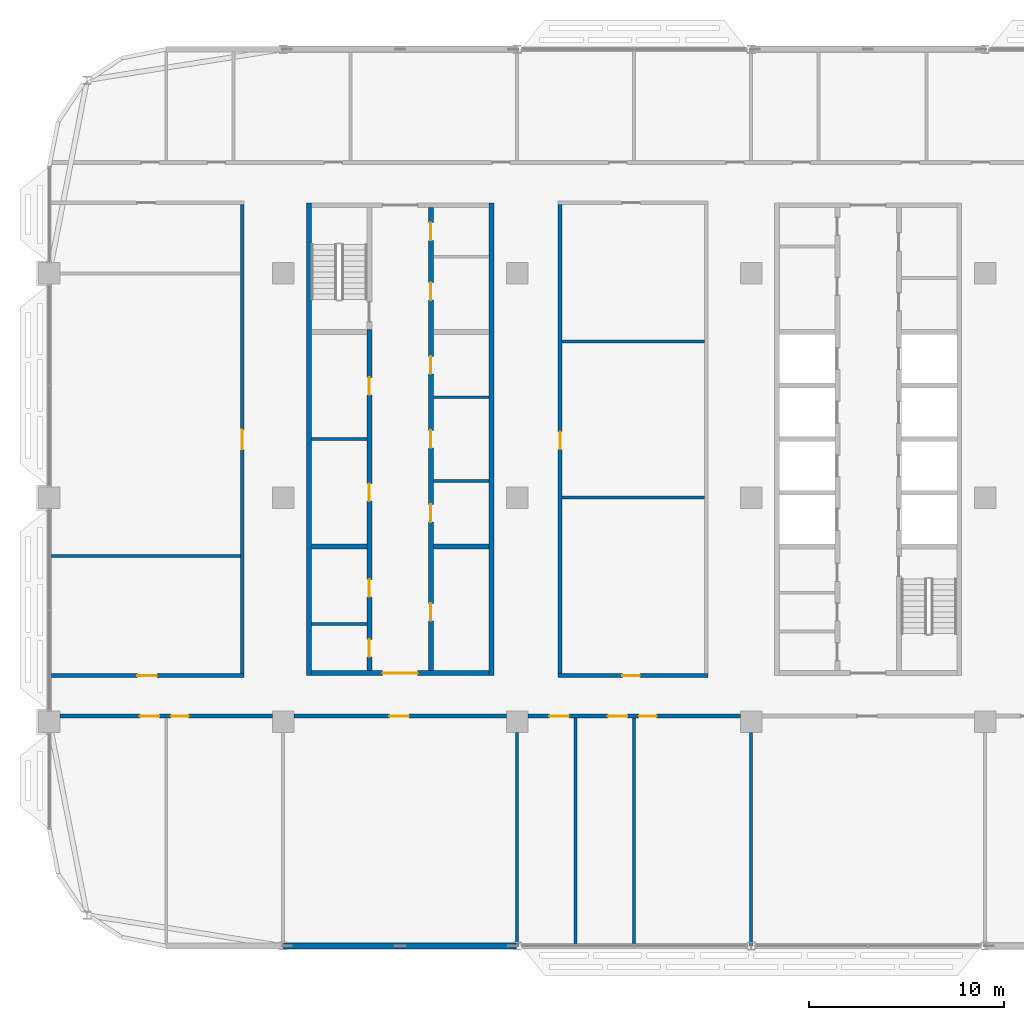
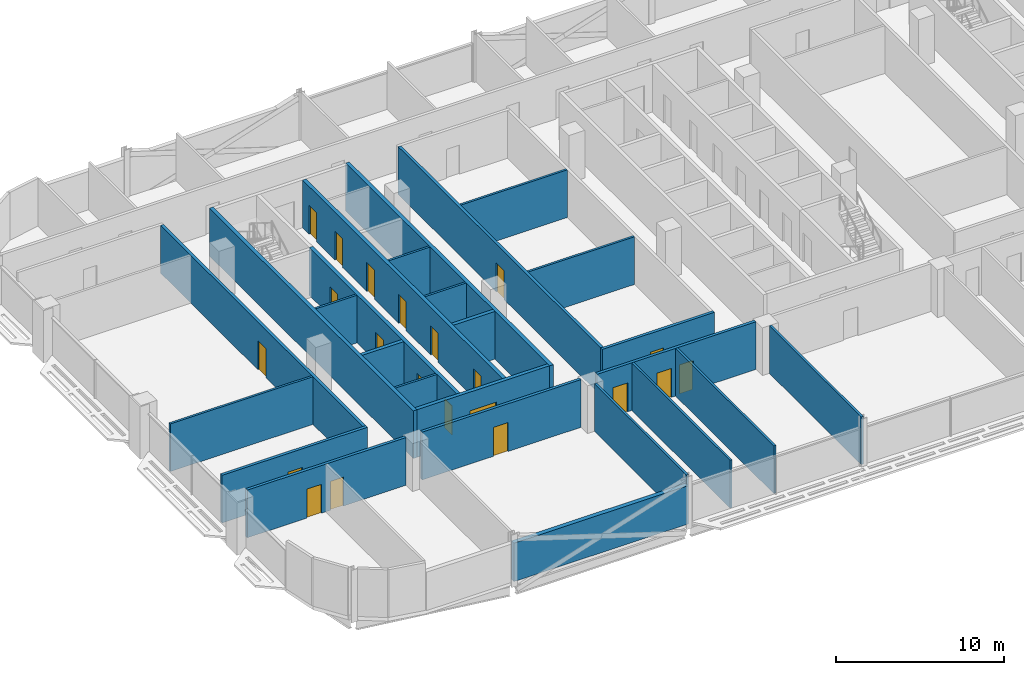
# One storey, part 13 of 30: 26 walls, 21 doors, 21 openings.
"""IFC4 building model written with IfcOpenShell, lengths in metres."""

from ifc_helpers import new_model, si_unit, direction, frame, frame_2d, origin, place, context, subcontext, project, spatial, rectangle, extrude, material, layer, layer_set, type_object, element, fill, save


model = new_model("IFC4")

# Units and contexts
model_context = context("Model", 3, precision=1e-05, world=origin(), true_north=direction((0.0, 1.0)))
body_context = subcontext(model_context, "Body", "Model", "MODEL_VIEW")
ifc_project = project(units=[si_unit("LENGTHUNIT", "METRE"), si_unit("AREAUNIT", "SQUARE_METRE"), si_unit("VOLUMEUNIT", "CUBIC_METRE"), si_unit("PLANEANGLEUNIT", "RADIAN"), si_unit("MASSUNIT", "GRAM", prefix="KILO")], contexts=[model_context])

# Site, building, storey
site_placement = place(None, origin())
site = spatial("IfcSite", under=ifc_project, at=site_placement, CompositionType="ELEMENT")
building_placement = place(site_placement, origin())
building = spatial("IfcBuilding", under=site, at=building_placement, Name="Mahtab Terrace Research Tower", CompositionType="ELEMENT")
storey_placement = place(building_placement, frame((0.0, 0.0, 212.89990234375)))
storey = spatial("IfcBuildingStorey", under=building, at=storey_placement, Name="L51", CompositionType="ELEMENT", Elevation=212.89990234375)

# Walls
ifc_material_1 = material(Name="Gypsum board partition")
ifc_layer_1 = layer(ifc_material_1, 0.14990234375)
ifc_layer_set_1 = layer_set([ifc_layer_1], Name="Core partition 150")
wall_type_1 = type_object("IfcWallType", Name="Core partition 150", PredefinedType="PARTITIONING", material=ifc_layer_set_1)
for number, where, z_axis, x_axis, name in (
    (1, (-28.550048828125, 3.0, 0.0), (0.0, 0.0, 1.0), (1.0, 0.0, 0.0), "Core wall A pWL0"),
    (2, (-22.300048828125, 0.85009765625, 0.0), (0.0, 0.0, 1.0), (1.0, 0.0, 0.0), "Core wall A pEL-215"),
    (3, (-22.300048828125, 5.14990234375, 0.0), (0.0, 0.0, 1.0), (1.0, 0.0, 0.0), "Core wall A pEL215"),
    (4, (-28.550048828125, -6.47509765625, 0.0), (0.0, 0.0, 1.0), (1.0, 0.0, 0.0), "Core wall A pWS-948"),
):
    element("IfcWall", number, at=place(storey_placement, frame(where, z_axis=z_axis, x_axis=x_axis)), inside=storey, type_object=wall_type_1, Name=name, PredefinedType="PARTITIONING", context=body_context, shape_type="SweptSolid", body=[
        extrude(rectangle(XDim=2.85009765625, YDim=0.14990234375, at=frame_2d((1.425048828125, 0.0))), origin(), (0.0, 0.0, 1.0), 3.460205078125),
    ])
ifc_material_2 = material(Name="Concrete C70/85", Category="concrete")
ifc_layer_2 = layer(ifc_material_2, 0.25)
ifc_layer_set_2 = layer_set([ifc_layer_2], Name="Core wall 250")
wall_type_2 = type_object("IfcWallType", Name="Core wall 250", PredefinedType="SOLIDWALL", material=ifc_layer_set_2)
for number, where, z_axis, x_axis, name in (
    (5, (-28.675048828125, 15.125, 0.0), (0.0, 0.0, 1.0), (0.0, -1.0, 0.0), "Core wall A outerW"),
    (6, (-19.324951171875, -9.125, 0.0), (0.0, 0.0, 1.0), (0.0, 1.0, 0.0), "Core wall A outerE"),
):
    element("IfcWall", number, at=place(storey_placement, frame(where, z_axis=z_axis, x_axis=x_axis)), inside=storey, type_object=wall_type_2, Name=name, PredefinedType="SOLIDWALL", context=body_context, shape_type="SweptSolid", body=[
        extrude(rectangle(XDim=24.25, YDim=0.25, at=frame_2d((12.125, 0.0))), origin(), (0.0, 0.0, 1.0), 3.460205078125),
    ])

# Wall, opening, door
wall_1_placement = place(storey_placement, frame((-19.449951171875, -9.0, 0.0), z_axis=(0.0, 0.0, 1.0), x_axis=(-1.0, 0.0, 0.0)))
wall_1 = element("IfcWall", 7, at=wall_1_placement, inside=storey, type_object=wall_type_2, Name="Core wall A endS", PredefinedType="SOLIDWALL", context=body_context, shape_type="SweptSolid", body=[
    extrude(rectangle(XDim=9.10009765625, YDim=0.25, at=frame_2d((4.550048828125, 0.0))), origin(), (0.0, 0.0, 1.0), 3.460205078125),
])
opening_1_placement = place(wall_1_placement, frame((3.64990234375, 0.0, 0.0)))
opening_1 = element("IfcOpeningElement", 8, at=opening_1_placement, cuts=wall_1, Name="Opening A-S1", PredefinedType="OPENING", context=body_context, shape_type="SweptSolid", body=[
    extrude(rectangle(XDim=1.800048828125, YDim=2.10009765625, at=frame_2d((0.89990234375, 1.050048828125))), frame((0.0, 0.135009765625, 0.0), z_axis=(0.0, -1.0, 0.0), x_axis=(1.0, 0.0, 0.0)), (0.0, 0.0, 1.0), 0.27001953125),
])
ifc_material_3 = material(Name="Steel fire door", Category="steel")
door_type_1 = type_object("IfcDoorType", Name="Lobby double door 1800x2100 1 HR", OperationType="DOUBLE_DOOR_SINGLE_SWING", PredefinedType="DOOR", material=ifc_material_3)
door_1_placement = place(opening_1_placement, origin())
door_1 = element("IfcDoor", 9, at=door_1_placement, inside=storey, type_object=door_type_1, Name="Core entrance door A S", OperationType="DOUBLE_DOOR_SINGLE_SWING", OverallHeight=2.10009765625, OverallWidth=1.800048828125, PredefinedType="DOOR", context=body_context, shape_type="SweptSolid", body=[
    extrude(rectangle(XDim=1.800048828125, YDim=2.10009765625, at=frame_2d((0.89990234375, 1.050048828125))), frame((0.0, 0.02490234375, 0.0), z_axis=(0.0, -1.0, 0.0), x_axis=(1.0, 0.0, 0.0)), (0.0, 0.0, 1.0), 0.050048828125),
])
fill(opening_1, door_1)

# Wall, openings, doors
wall_2_placement = place(storey_placement, frame((-25.574951171875, -8.875, 0.0), z_axis=(0.0, 0.0, 1.0), x_axis=(0.0, 1.0, 0.0)))
wall_2 = element("IfcWall", 10, at=wall_2_placement, inside=storey, type_object=wall_type_2, Name="Core wall A innerWSL", PredefinedType="SOLIDWALL", context=body_context, shape_type="SweptSolid", body=[
    extrude(rectangle(XDim=17.5, YDim=0.25, at=frame_2d((8.75, 0.0))), origin(), (0.0, 0.0, 1.0), 3.460205078125),
])
opening_2_placement = place(wall_2_placement, frame((8.699951171875, 0.0, 0.0)))
opening_2 = element("IfcOpeningElement", 11, at=opening_2_placement, cuts=wall_2, Name="Opening A-R1", PredefinedType="OPENING", context=body_context, shape_type="SweptSolid", body=[
    extrude(rectangle(XDim=0.89990234375, YDim=2.10009765625, at=frame_2d((0.449951171875, 1.050048828125))), frame((0.0, 0.135009765625, 0.0), z_axis=(0.0, -1.0, 0.0), x_axis=(1.0, 0.0, 0.0)), (0.0, 0.0, 1.0), 0.27001953125),
])
opening_3_placement = place(wall_2_placement, frame((14.14990234375, 0.0, 0.0)))
opening_3 = element("IfcOpeningElement", 12, at=opening_3_placement, cuts=wall_2, Name="Opening A-R2", PredefinedType="OPENING", context=body_context, shape_type="SweptSolid", body=[
    extrude(rectangle(XDim=0.89990234375, YDim=2.10009765625, at=frame_2d((0.449951171875, 1.050048828125))), frame((0.0, 0.135009765625, 0.0), z_axis=(0.0, -1.0, 0.0), x_axis=(1.0, 0.0, 0.0)), (0.0, 0.0, 1.0), 0.27001953125),
])
opening_4_placement = place(wall_2_placement, frame((0.71240234375, 0.0, 0.0)))
opening_4 = element("IfcOpeningElement", 13, at=opening_4_placement, cuts=wall_2, Name="Opening A-R6", PredefinedType="OPENING", context=body_context, shape_type="SweptSolid", body=[
    extrude(rectangle(XDim=0.89990234375, YDim=2.10009765625, at=frame_2d((0.449951171875, 1.050048828125))), frame((0.0, 0.135009765625, 0.0), z_axis=(0.0, -1.0, 0.0), x_axis=(1.0, 0.0, 0.0)), (0.0, 0.0, 1.0), 0.27001953125),
])
opening_5_placement = place(wall_2_placement, frame((3.78759765625, 0.0, 0.0)))
opening_5 = element("IfcOpeningElement", 14, at=opening_5_placement, cuts=wall_2, Name="Opening A-R7", PredefinedType="OPENING", context=body_context, shape_type="SweptSolid", body=[
    extrude(rectangle(XDim=0.89990234375, YDim=2.10009765625, at=frame_2d((0.449951171875, 1.050048828125))), frame((0.0, 0.135009765625, 0.0), z_axis=(0.0, -1.0, 0.0), x_axis=(1.0, 0.0, 0.0)), (0.0, 0.0, 1.0), 0.27001953125),
])
door_type_2 = type_object("IfcDoorType", Name="Room door 900x2100 1 HR", OperationType="NOTDEFINED", PredefinedType="DOOR", material=ifc_material_3)
door_2_placement = place(opening_2_placement, origin())
door_2 = element("IfcDoor", 15, at=door_2_placement, inside=storey, type_object=door_type_2, Name="Document store door", OperationType="SINGLE_SWING_LEFT", OverallHeight=2.10009765625, OverallWidth=0.89990234375, PredefinedType="DOOR", context=body_context, shape_type="SweptSolid", body=[
    extrude(rectangle(XDim=0.89990234375, YDim=2.10009765625, at=frame_2d((0.449951171875, 1.050048828125))), frame((0.0, 0.02490234375, 0.0), z_axis=(0.0, -1.0, 0.0), x_axis=(1.0, 0.0, 0.0)), (0.0, 0.0, 1.0), 0.050048828125),
])
fill(opening_2, door_2)
door_3_placement = place(opening_3_placement, origin())
door_3 = element("IfcDoor", 16, at=door_3_placement, inside=storey, type_object=door_type_2, Name="IT equipment room door", OperationType="SINGLE_SWING_RIGHT", OverallHeight=2.10009765625, OverallWidth=0.89990234375, PredefinedType="DOOR", context=body_context, shape_type="SweptSolid", body=[
    extrude(rectangle(XDim=0.89990234375, YDim=2.10009765625, at=frame_2d((0.449951171875, 1.050048828125))), frame((0.0, 0.02490234375, 0.0), z_axis=(0.0, -1.0, 0.0), x_axis=(1.0, 0.0, 0.0)), (0.0, 0.0, 1.0), 0.050048828125),
])
fill(opening_3, door_3)
door_4_placement = place(opening_4_placement, origin())
door_4 = element("IfcDoor", 17, at=door_4_placement, inside=storey, type_object=door_type_2, Name="Accessible WC door", OperationType="SINGLE_SWING_RIGHT", OverallHeight=2.10009765625, OverallWidth=0.89990234375, PredefinedType="DOOR", context=body_context, shape_type="SweptSolid", body=[
    extrude(rectangle(XDim=0.89990234375, YDim=2.10009765625, at=frame_2d((0.449951171875, 1.050048828125))), frame((0.0, 0.02490234375, 0.0), z_axis=(0.0, -1.0, 0.0), x_axis=(1.0, 0.0, 0.0)), (0.0, 0.0, 1.0), 0.050048828125),
])
fill(opening_4, door_4)
door_5_placement = place(opening_5_placement, origin())
door_5 = element("IfcDoor", 18, at=door_5_placement, inside=storey, type_object=door_type_2, Name="WC block door", OperationType="SINGLE_SWING_LEFT", OverallHeight=2.10009765625, OverallWidth=0.89990234375, PredefinedType="DOOR", context=body_context, shape_type="SweptSolid", body=[
    extrude(rectangle(XDim=0.89990234375, YDim=2.10009765625, at=frame_2d((0.449951171875, 1.050048828125))), frame((0.0, 0.02490234375, 0.0), z_axis=(0.0, -1.0, 0.0), x_axis=(1.0, 0.0, 0.0)), (0.0, 0.0, 1.0), 0.050048828125),
])
fill(opening_5, door_5)

wall_3_placement = place(storey_placement, frame((-22.425048828125, 14.875, 0.0), z_axis=(0.0, 0.0, 1.0), x_axis=(0.0, -1.0, 0.0)))
wall_3 = element("IfcWall", 19, at=wall_3_placement, inside=storey, type_object=wall_type_2, Name="Core wall A innerESLN", PredefinedType="SOLIDWALL", context=body_context, shape_type="SweptSolid", body=[
    extrude(rectangle(XDim=23.75, YDim=0.25, at=frame_2d((11.875, 0.0))), origin(), (0.0, 0.0, 1.0), 3.460205078125),
])
opening_6_placement = place(wall_3_placement, frame((15.22509765625, 0.0, 0.0)))
opening_6 = element("IfcOpeningElement", 20, at=opening_6_placement, cuts=wall_3, Name="Opening A-R3", PredefinedType="OPENING", context=body_context, shape_type="SweptSolid", body=[
    extrude(rectangle(XDim=0.89990234375, YDim=2.10009765625, at=frame_2d((0.449951171875, 1.050048828125))), frame((0.0, 0.135009765625, 0.0), z_axis=(0.0, -1.0, 0.0), x_axis=(1.0, 0.0, 0.0)), (0.0, 0.0, 1.0), 0.27001953125),
])
opening_7_placement = place(wall_3_placement, frame((11.425048828125, 0.0, 0.0)))
opening_7 = element("IfcOpeningElement", 21, at=opening_7_placement, cuts=wall_3, Name="Opening A-R4", PredefinedType="OPENING", context=body_context, shape_type="SweptSolid", body=[
    extrude(rectangle(XDim=0.89990234375, YDim=2.10009765625, at=frame_2d((0.449951171875, 1.050048828125))), frame((0.0, 0.135009765625, 0.0), z_axis=(0.0, -1.0, 0.0), x_axis=(1.0, 0.0, 0.0)), (0.0, 0.0, 1.0), 0.27001953125),
])
opening_8_placement = place(wall_3_placement, frame((7.625, 0.0, 0.0)))
opening_8 = element("IfcOpeningElement", 22, at=opening_8_placement, cuts=wall_3, Name="Opening A-R5", PredefinedType="OPENING", context=body_context, shape_type="SweptSolid", body=[
    extrude(rectangle(XDim=0.89990234375, YDim=2.10009765625, at=frame_2d((0.449951171875, 1.050048828125))), frame((0.0, 0.135009765625, 0.0), z_axis=(0.0, -1.0, 0.0), x_axis=(1.0, 0.0, 0.0)), (0.0, 0.0, 1.0), 0.27001953125),
])
opening_9_placement = place(wall_3_placement, frame((20.300048828125, 0.0, 0.0)))
opening_9 = element("IfcOpeningElement", 23, at=opening_9_placement, cuts=wall_3, Name="Opening A-R8", PredefinedType="OPENING", context=body_context, shape_type="SweptSolid", body=[
    extrude(rectangle(XDim=0.89990234375, YDim=2.10009765625, at=frame_2d((0.449951171875, 1.050048828125))), frame((0.0, 0.135009765625, 0.0), z_axis=(0.0, -1.0, 0.0), x_axis=(1.0, 0.0, 0.0)), (0.0, 0.0, 1.0), 0.27001953125),
])
opening_10_placement = place(wall_3_placement, frame((3.847412109375, 0.0, 0.0)))
opening_10 = element("IfcOpeningElement", 24, at=opening_10_placement, cuts=wall_3, Name="Opening A-R9", PredefinedType="OPENING", context=body_context, shape_type="SweptSolid", body=[
    extrude(rectangle(XDim=0.89990234375, YDim=2.10009765625, at=frame_2d((0.449951171875, 1.050048828125))), frame((0.0, 0.135009765625, 0.0), z_axis=(0.0, -1.0, 0.0), x_axis=(1.0, 0.0, 0.0)), (0.0, 0.0, 1.0), 0.27001953125),
])
opening_11_placement = place(wall_3_placement, frame((0.7724609375, 0.0, 0.0)))
opening_11 = element("IfcOpeningElement", 25, at=opening_11_placement, cuts=wall_3, Name="Opening A-R10", PredefinedType="OPENING", context=body_context, shape_type="SweptSolid", body=[
    extrude(rectangle(XDim=0.89990234375, YDim=2.10009765625, at=frame_2d((0.449951171875, 1.050048828125))), frame((0.0, 0.135009765625, 0.0), z_axis=(0.0, -1.0, 0.0), x_axis=(1.0, 0.0, 0.0)), (0.0, 0.0, 1.0), 0.27001953125),
])
door_6_placement = place(opening_6_placement, origin())
door_6 = element("IfcDoor", 26, at=door_6_placement, inside=storey, type_object=door_type_2, Name="Electrical room door", OperationType="SINGLE_SWING_LEFT", OverallHeight=2.10009765625, OverallWidth=0.89990234375, PredefinedType="DOOR", context=body_context, shape_type="SweptSolid", body=[
    extrude(rectangle(XDim=0.89990234375, YDim=2.10009765625, at=frame_2d((0.449951171875, 1.050048828125))), frame((0.0, 0.02490234375, 0.0), z_axis=(0.0, -1.0, 0.0), x_axis=(1.0, 0.0, 0.0)), (0.0, 0.0, 1.0), 0.050048828125),
])
fill(opening_6, door_6)
door_7_placement = place(opening_7_placement, origin())
door_7 = element("IfcDoor", 27, at=door_7_placement, inside=storey, type_object=door_type_2, Name="Pantry door", OperationType="SINGLE_SWING_RIGHT", OverallHeight=2.10009765625, OverallWidth=0.89990234375, PredefinedType="DOOR", context=body_context, shape_type="SweptSolid", body=[
    extrude(rectangle(XDim=0.89990234375, YDim=2.10009765625, at=frame_2d((0.449951171875, 1.050048828125))), frame((0.0, 0.02490234375, 0.0), z_axis=(0.0, -1.0, 0.0), x_axis=(1.0, 0.0, 0.0)), (0.0, 0.0, 1.0), 0.050048828125),
])
fill(opening_7, door_7)
door_8_placement = place(opening_8_placement, origin())
door_8 = element("IfcDoor", 28, at=door_8_placement, inside=storey, type_object=door_type_2, Name="Housekeeping store door", OperationType="SINGLE_SWING_LEFT", OverallHeight=2.10009765625, OverallWidth=0.89990234375, PredefinedType="DOOR", context=body_context, shape_type="SweptSolid", body=[
    extrude(rectangle(XDim=0.89990234375, YDim=2.10009765625, at=frame_2d((0.449951171875, 1.050048828125))), frame((0.0, 0.02490234375, 0.0), z_axis=(0.0, -1.0, 0.0), x_axis=(1.0, 0.0, 0.0)), (0.0, 0.0, 1.0), 0.050048828125),
])
fill(opening_8, door_8)
door_9_placement = place(opening_9_placement, origin())
door_9 = element("IfcDoor", 29, at=door_9_placement, inside=storey, type_object=door_type_2, Name="Gas cylinder store door", OperationType="SINGLE_SWING_RIGHT", OverallHeight=2.10009765625, OverallWidth=0.89990234375, PredefinedType="DOOR", context=body_context, shape_type="SweptSolid", body=[
    extrude(rectangle(XDim=0.89990234375, YDim=2.10009765625, at=frame_2d((0.449951171875, 1.050048828125))), frame((0.0, 0.02490234375, 0.0), z_axis=(0.0, -1.0, 0.0), x_axis=(1.0, 0.0, 0.0)), (0.0, 0.0, 1.0), 0.050048828125),
])
fill(opening_9, door_9)
door_10_placement = place(opening_10_placement, origin())
door_10 = element("IfcDoor", 30, at=door_10_placement, inside=storey, type_object=door_type_2, Name="Pantry door", OperationType="SINGLE_SWING_LEFT", OverallHeight=2.10009765625, OverallWidth=0.89990234375, PredefinedType="DOOR", context=body_context, shape_type="SweptSolid", body=[
    extrude(rectangle(XDim=0.89990234375, YDim=2.10009765625, at=frame_2d((0.449951171875, 1.050048828125))), frame((0.0, 0.02490234375, 0.0), z_axis=(0.0, -1.0, 0.0), x_axis=(1.0, 0.0, 0.0)), (0.0, 0.0, 1.0), 0.050048828125),
])
fill(opening_10, door_10)
door_11_placement = place(opening_11_placement, origin())
door_11 = element("IfcDoor", 31, at=door_11_placement, inside=storey, type_object=door_type_2, Name="Linen store door", OperationType="SINGLE_SWING_RIGHT", OverallHeight=2.10009765625, OverallWidth=0.89990234375, PredefinedType="DOOR", context=body_context, shape_type="SweptSolid", body=[
    extrude(rectangle(XDim=0.89990234375, YDim=2.10009765625, at=frame_2d((0.449951171875, 1.050048828125))), frame((0.0, 0.02490234375, 0.0), z_axis=(0.0, -1.0, 0.0), x_axis=(1.0, 0.0, 0.0)), (0.0, 0.0, 1.0), 0.050048828125),
])
fill(opening_11, door_11)

# Walls
for number, where, z_axis, x_axis, name in (
    (32, (-28.550048828125, -2.5, 0.0), (0.0, 0.0, 1.0), (1.0, 0.0, 0.0), "Core wall A divW0"),
    (33, (-22.300048828125, -2.5, 0.0), (0.0, 0.0, 1.0), (1.0, 0.0, 0.0), "Core wall A divE0"),
):
    element("IfcWall", number, at=place(storey_placement, frame(where, z_axis=z_axis, x_axis=x_axis)), inside=storey, type_object=wall_type_2, Name=name, PredefinedType="SOLIDWALL", context=body_context, shape_type="SweptSolid", body=[
        extrude(rectangle(XDim=2.85009765625, YDim=0.25, at=frame_2d((1.425048828125, 0.0))), origin(), (0.0, 0.0, 1.0), 3.460205078125),
    ])
ifc_material_4 = material(Name="Black aluminium cladding panel", Category="aluminium")
ifc_layer_3 = layer(ifc_material_4, 0.300048828125)
ifc_layer_set_3 = layer_set([ifc_layer_3], Name="Opaque facade wall 300")
wall_type_3 = type_object("IfcWallType", Name="Opaque facade wall 300", PredefinedType="NOTDEFINED", material=ifc_layer_set_3)
wall_4_placement = place(storey_placement, frame((-29.987548828125, -23.0, 0.0), z_axis=(0.0, 0.0, 1.0), x_axis=(1.0, 0.0, 0.0)))
element("IfcWall", 34, at=wall_4_placement, inside=storey, type_object=wall_type_3, Name="Opaque facade wall L51 S24", PredefinedType="NOTDEFINED", context=body_context, shape_type="SweptSolid", body=[
    extrude(rectangle(XDim=11.97509765625, YDim=0.300048828125, at=frame_2d((5.987548828125, 0.0))), origin(), (0.0, 0.0, 1.0), 2.781982421875),
])

# Wall, openings, doors
ifc_material_5 = material(Name="Gypsum board corridor wall on steel studs", Category="steel")
ifc_layer_4 = layer(ifc_material_5, 0.199951171875)
ifc_layer_set_4 = layer_set([ifc_layer_4], Name="WALL CORRIDOR 200")
wall_type_4 = type_object("IfcWallType", Name="WALL CORRIDOR 200", PredefinedType="PARTITIONING", material=ifc_layer_set_4)
wall_5_placement = place(storey_placement, frame((-41.449951171875, -11.199951171875, 0.0), z_axis=(0.0, 0.0, 1.0), x_axis=(1.0, 0.0, 0.0)))
wall_5 = element("IfcWall", 35, at=wall_5_placement, inside=storey, type_object=wall_type_4, Name="L51-W001", PredefinedType="PARTITIONING", context=body_context, shape_type="SweptSolid", body=[
    extrude(rectangle(XDim=10.89990234375, YDim=0.199951171875, at=frame_2d((5.449951171875, 0.0))), origin(), (0.0, 0.0, 1.0), 3.460205078125),
])
opening_12_placement = place(wall_5_placement, frame((4.10009765625, 0.0, 0.0)))
opening_12 = element("IfcOpeningElement", 36, at=opening_12_placement, cuts=wall_5, Name="Opening L51-101", PredefinedType="OPENING", context=body_context, shape_type="SweptSolid", body=[
    extrude(rectangle(XDim=1.0, YDim=2.10009765625, at=frame_2d((0.5, 1.050048828125))), frame((0.0, 0.10986328125, 0.0), z_axis=(0.0, -1.0, 0.0), x_axis=(1.0, 0.0, 0.0)), (0.0, 0.0, 1.0), 0.219970703125),
])
opening_13_placement = place(wall_5_placement, frame((5.699951171875, 0.0, 0.0)))
opening_13 = element("IfcOpeningElement", 37, at=opening_13_placement, cuts=wall_5, Name="Opening L51-102", PredefinedType="OPENING", context=body_context, shape_type="SweptSolid", body=[
    extrude(rectangle(XDim=0.89990234375, YDim=2.10009765625, at=frame_2d((0.449951171875, 1.050048828125))), frame((0.0, 0.10986328125, 0.0), z_axis=(0.0, -1.0, 0.0), x_axis=(1.0, 0.0, 0.0)), (0.0, 0.0, 1.0), 0.219970703125),
])
ifc_material_6 = material(Name="Timber door leaf in steel frame", Category="steel")
door_type_3 = type_object("IfcDoorType", Name="DOOR 0900X2100 FD30S", OperationType="SINGLE_SWING_LEFT", PredefinedType="DOOR", material=ifc_material_6)
door_12_placement = place(opening_13_placement, origin())
door_12 = element("IfcDoor", 38, at=door_12_placement, inside=storey, type_object=door_type_3, Name="Door L51-102", OperationType="SINGLE_SWING_LEFT", OverallHeight=2.10009765625, OverallWidth=0.89990234375, PredefinedType="DOOR", context=body_context, shape_type="SweptSolid", body=[
    extrude(rectangle(XDim=0.89990234375, YDim=2.10009765625, at=frame_2d((0.449951171875, 1.050048828125))), frame((0.0, 0.02490234375, 0.0), z_axis=(0.0, -1.0, 0.0), x_axis=(1.0, 0.0, 0.0)), (0.0, 0.0, 1.0), 0.050048828125),
])
fill(opening_13, door_12)
door_type_4 = type_object("IfcDoorType", Name="DOOR 1000X2100 FD30S", OperationType="SINGLE_SWING_LEFT", PredefinedType="DOOR", material=ifc_material_6)
door_13_placement = place(opening_12_placement, origin())
door_13 = element("IfcDoor", 39, at=door_13_placement, inside=storey, type_object=door_type_4, Name="Door L51-101", OperationType="SINGLE_SWING_RIGHT", OverallHeight=2.10009765625, OverallWidth=1.0, PredefinedType="DOOR", context=body_context, shape_type="SweptSolid", body=[
    extrude(rectangle(XDim=1.0, YDim=2.10009765625, at=frame_2d((0.5, 1.050048828125))), frame((0.0, 0.02490234375, 0.0), z_axis=(0.0, -1.0, 0.0), x_axis=(1.0, 0.0, 0.0)), (0.0, 0.0, 1.0), 0.050048828125),
])
fill(opening_12, door_13)

# Wall, opening, door
wall_6_placement = place(storey_placement, frame((-29.449951171875, -11.199951171875, 0.0), z_axis=(0.0, 0.0, 1.0), x_axis=(1.0, 0.0, 0.0)))
wall_6 = element("IfcWall", 40, at=wall_6_placement, inside=storey, type_object=wall_type_4, Name="L51-W002", PredefinedType="PARTITIONING", context=body_context, shape_type="SweptSolid", body=[
    extrude(rectangle(XDim=10.89990234375, YDim=0.199951171875, at=frame_2d((5.449951171875, 0.0))), origin(), (0.0, 0.0, 1.0), 3.460205078125),
])
opening_14_placement = place(wall_6_placement, frame((4.89990234375, 0.0, 0.0)))
opening_14 = element("IfcOpeningElement", 41, at=opening_14_placement, cuts=wall_6, Name="Opening L51-103", PredefinedType="OPENING", context=body_context, shape_type="SweptSolid", body=[
    extrude(rectangle(XDim=1.0, YDim=2.10009765625, at=frame_2d((0.5, 1.050048828125))), frame((0.0, 0.10986328125, 0.0), z_axis=(0.0, -1.0, 0.0), x_axis=(1.0, 0.0, 0.0)), (0.0, 0.0, 1.0), 0.219970703125),
])
door_14_placement = place(opening_14_placement, origin())
door_14 = element("IfcDoor", 42, at=door_14_placement, inside=storey, type_object=door_type_4, Name="Door L51-103", OperationType="SINGLE_SWING_RIGHT", OverallHeight=2.10009765625, OverallWidth=1.0, PredefinedType="DOOR", context=body_context, shape_type="SweptSolid", body=[
    extrude(rectangle(XDim=1.0, YDim=2.10009765625, at=frame_2d((0.5, 1.050048828125))), frame((0.0, 0.02490234375, 0.0), z_axis=(0.0, -1.0, 0.0), x_axis=(1.0, 0.0, 0.0)), (0.0, 0.0, 1.0), 0.050048828125),
])
fill(opening_14, door_14)

# Wall, openings, doors
wall_7_placement = place(storey_placement, frame((-17.449951171875, -11.199951171875, 0.0), z_axis=(0.0, 0.0, 1.0), x_axis=(1.0, 0.0, 0.0)))
wall_7 = element("IfcWall", 43, at=wall_7_placement, inside=storey, type_object=wall_type_4, Name="L51-W003", PredefinedType="PARTITIONING", context=body_context, shape_type="SweptSolid", body=[
    extrude(rectangle(XDim=10.89990234375, YDim=0.199951171875, at=frame_2d((5.449951171875, 0.0))), origin(), (0.0, 0.0, 1.0), 3.460205078125),
])
opening_15_placement = place(wall_7_placement, frame((1.10009765625, 0.0, 0.0)))
opening_15 = element("IfcOpeningElement", 44, at=opening_15_placement, cuts=wall_7, Name="Opening L51-104", PredefinedType="OPENING", context=body_context, shape_type="SweptSolid", body=[
    extrude(rectangle(XDim=1.0, YDim=2.10009765625, at=frame_2d((0.5, 1.050048828125))), frame((0.0, 0.10986328125, 0.0), z_axis=(0.0, -1.0, 0.0), x_axis=(1.0, 0.0, 0.0)), (0.0, 0.0, 1.0), 0.219970703125),
])
opening_16_placement = place(wall_7_placement, frame((4.10009765625, 0.0, 0.0)))
opening_16 = element("IfcOpeningElement", 45, at=opening_16_placement, cuts=wall_7, Name="Opening L51-105", PredefinedType="OPENING", context=body_context, shape_type="SweptSolid", body=[
    extrude(rectangle(XDim=1.0, YDim=2.10009765625, at=frame_2d((0.5, 1.050048828125))), frame((0.0, 0.10986328125, 0.0), z_axis=(0.0, -1.0, 0.0), x_axis=(1.0, 0.0, 0.0)), (0.0, 0.0, 1.0), 0.219970703125),
])
opening_17_placement = place(wall_7_placement, frame((5.699951171875, 0.0, 0.0)))
opening_17 = element("IfcOpeningElement", 46, at=opening_17_placement, cuts=wall_7, Name="Opening L51-106", PredefinedType="OPENING", context=body_context, shape_type="SweptSolid", body=[
    extrude(rectangle(XDim=0.89990234375, YDim=2.10009765625, at=frame_2d((0.449951171875, 1.050048828125))), frame((0.0, 0.10986328125, 0.0), z_axis=(0.0, -1.0, 0.0), x_axis=(1.0, 0.0, 0.0)), (0.0, 0.0, 1.0), 0.219970703125),
])
door_15_placement = place(opening_17_placement, origin())
door_15 = element("IfcDoor", 47, at=door_15_placement, inside=storey, type_object=door_type_3, Name="Door L51-106", OperationType="SINGLE_SWING_LEFT", OverallHeight=2.10009765625, OverallWidth=0.89990234375, PredefinedType="DOOR", context=body_context, shape_type="SweptSolid", body=[
    extrude(rectangle(XDim=0.89990234375, YDim=2.10009765625, at=frame_2d((0.449951171875, 1.050048828125))), frame((0.0, 0.02490234375, 0.0), z_axis=(0.0, -1.0, 0.0), x_axis=(1.0, 0.0, 0.0)), (0.0, 0.0, 1.0), 0.050048828125),
])
fill(opening_17, door_15)
door_16_placement = place(opening_15_placement, origin())
door_16 = element("IfcDoor", 48, at=door_16_placement, inside=storey, type_object=door_type_4, Name="Door L51-104", OperationType="SINGLE_SWING_RIGHT", OverallHeight=2.10009765625, OverallWidth=1.0, PredefinedType="DOOR", context=body_context, shape_type="SweptSolid", body=[
    extrude(rectangle(XDim=1.0, YDim=2.10009765625, at=frame_2d((0.5, 1.050048828125))), frame((0.0, 0.02490234375, 0.0), z_axis=(0.0, -1.0, 0.0), x_axis=(1.0, 0.0, 0.0)), (0.0, 0.0, 1.0), 0.050048828125),
])
fill(opening_15, door_16)
door_17_placement = place(opening_16_placement, origin())
door_17 = element("IfcDoor", 49, at=door_17_placement, inside=storey, type_object=door_type_4, Name="Door L51-105", OperationType="SINGLE_SWING_RIGHT", OverallHeight=2.10009765625, OverallWidth=1.0, PredefinedType="DOOR", context=body_context, shape_type="SweptSolid", body=[
    extrude(rectangle(XDim=1.0, YDim=2.10009765625, at=frame_2d((0.5, 1.050048828125))), frame((0.0, 0.02490234375, 0.0), z_axis=(0.0, -1.0, 0.0), x_axis=(1.0, 0.0, 0.0)), (0.0, 0.0, 1.0), 0.050048828125),
])
fill(opening_16, door_17)

# Wall, opening, door
wall_8_placement = place(storey_placement, frame((-41.97509765625, -9.125, 0.0), z_axis=(0.0, 0.0, 1.0), x_axis=(1.0, 0.0, 0.0)))
wall_8 = element("IfcWall", 50, at=wall_8_placement, inside=storey, type_object=wall_type_4, Name="L51-W009", PredefinedType="PARTITIONING", context=body_context, shape_type="SweptSolid", body=[
    extrude(rectangle(XDim=9.97509765625, YDim=0.199951171875, at=frame_2d((4.987548828125, 0.0))), origin(), (0.0, 0.0, 1.0), 3.460205078125),
])
opening_18_placement = place(wall_8_placement, frame((4.5, 0.0, 0.0)))
opening_18 = element("IfcOpeningElement", 51, at=opening_18_placement, cuts=wall_8, Name="Opening L51-116", PredefinedType="OPENING", context=body_context, shape_type="SweptSolid", body=[
    extrude(rectangle(XDim=1.0, YDim=2.10009765625, at=frame_2d((0.5, 1.050048828125))), frame((0.0, 0.10986328125, 0.0), z_axis=(0.0, -1.0, 0.0), x_axis=(1.0, 0.0, 0.0)), (0.0, 0.0, 1.0), 0.219970703125),
])
door_18_placement = place(opening_18_placement, origin())
door_18 = element("IfcDoor", 52, at=door_18_placement, inside=storey, type_object=door_type_4, Name="Door L51-116", OperationType="SINGLE_SWING_RIGHT", OverallHeight=2.10009765625, OverallWidth=1.0, PredefinedType="DOOR", context=body_context, shape_type="SweptSolid", body=[
    extrude(rectangle(XDim=1.0, YDim=2.10009765625, at=frame_2d((0.5, 1.050048828125))), frame((0.0, 0.02490234375, 0.0), z_axis=(0.0, -1.0, 0.0), x_axis=(1.0, 0.0, 0.0)), (0.0, 0.0, 1.0), 0.050048828125),
])
fill(opening_18, door_18)

wall_9_placement = place(storey_placement, frame((-15.89990234375, -9.125, 0.0), z_axis=(0.0, 0.0, 1.0), x_axis=(1.0, 0.0, 0.0)))
wall_9 = element("IfcWall", 53, at=wall_9_placement, inside=storey, type_object=wall_type_4, Name="L51-W010", PredefinedType="PARTITIONING", context=body_context, shape_type="SweptSolid", body=[
    extrude(rectangle(XDim=7.699951171875, YDim=0.199951171875, at=frame_2d((3.85009765625, 0.0))), origin(), (0.0, 0.0, 1.0), 3.460205078125),
])
opening_19_placement = place(wall_9_placement, frame((3.300048828125, 0.0, 0.0)))
opening_19 = element("IfcOpeningElement", 54, at=opening_19_placement, cuts=wall_9, Name="Opening L51-118", PredefinedType="OPENING", context=body_context, shape_type="SweptSolid", body=[
    extrude(rectangle(XDim=0.89990234375, YDim=2.10009765625, at=frame_2d((0.449951171875, 1.050048828125))), frame((0.0, 0.10986328125, 0.0), z_axis=(0.0, -1.0, 0.0), x_axis=(1.0, 0.0, 0.0)), (0.0, 0.0, 1.0), 0.219970703125),
])
door_19_placement = place(opening_19_placement, origin())
door_19 = element("IfcDoor", 55, at=door_19_placement, inside=storey, type_object=door_type_3, Name="Door L51-118", OperationType="SINGLE_SWING_LEFT", OverallHeight=2.10009765625, OverallWidth=0.89990234375, PredefinedType="DOOR", context=body_context, shape_type="SweptSolid", body=[
    extrude(rectangle(XDim=0.89990234375, YDim=2.10009765625, at=frame_2d((0.449951171875, 1.050048828125))), frame((0.0, 0.02490234375, 0.0), z_axis=(0.0, -1.0, 0.0), x_axis=(1.0, 0.0, 0.0)), (0.0, 0.0, 1.0), 0.050048828125),
])
fill(opening_19, door_19)

wall_10_placement = place(storey_placement, frame((-32.10009765625, -9.02490234375, 0.0), z_axis=(0.0, 0.0, 1.0), x_axis=(0.0, 1.0, 0.0)))
wall_10 = element("IfcWall", 56, at=wall_10_placement, inside=storey, type_object=wall_type_4, Name="L51-W030", PredefinedType="PARTITIONING", context=body_context, shape_type="SweptSolid", body=[
    extrude(rectangle(XDim=24.0498046875, YDim=0.199951171875, at=frame_2d((12.02490234375, 0.0))), origin(), (0.0, 0.0, 1.0), 3.460205078125),
])
opening_20_placement = place(wall_10_placement, frame((11.5, 0.0, 0.0)))
opening_20 = element("IfcOpeningElement", 57, at=opening_20_placement, cuts=wall_10, Name="Opening L51-120", PredefinedType="OPENING", context=body_context, shape_type="SweptSolid", body=[
    extrude(rectangle(XDim=1.0, YDim=2.10009765625, at=frame_2d((0.5, 1.050048828125))), frame((0.0, 0.10986328125, 0.0), z_axis=(0.0, -1.0, 0.0), x_axis=(1.0, 0.0, 0.0)), (0.0, 0.0, 1.0), 0.219970703125),
])
door_20_placement = place(opening_20_placement, origin())
door_20 = element("IfcDoor", 58, at=door_20_placement, inside=storey, type_object=door_type_4, Name="Door L51-120", OperationType="SINGLE_SWING_LEFT", OverallHeight=2.10009765625, OverallWidth=1.0, PredefinedType="DOOR", context=body_context, shape_type="SweptSolid", body=[
    extrude(rectangle(XDim=1.0, YDim=2.10009765625, at=frame_2d((0.5, 1.050048828125))), frame((0.0, 0.02490234375, 0.0), z_axis=(0.0, -1.0, 0.0), x_axis=(1.0, 0.0, 0.0)), (0.0, 0.0, 1.0), 0.050048828125),
])
fill(opening_20, door_20)

wall_11_placement = place(storey_placement, frame((-15.800048828125, -9.02490234375, 0.0), z_axis=(0.0, 0.0, 1.0), x_axis=(0.0, 1.0, 0.0)))
wall_11 = element("IfcWall", 59, at=wall_11_placement, inside=storey, type_object=wall_type_4, Name="L51-W035", PredefinedType="PARTITIONING", context=body_context, shape_type="SweptSolid", body=[
    extrude(rectangle(XDim=24.0498046875, YDim=0.199951171875, at=frame_2d((12.02490234375, 0.0))), origin(), (0.0, 0.0, 1.0), 3.460205078125),
])
opening_21_placement = place(wall_11_placement, frame((11.5, 0.0, 0.0)))
opening_21 = element("IfcOpeningElement", 60, at=opening_21_placement, cuts=wall_11, Name="Opening L51-121", PredefinedType="OPENING", context=body_context, shape_type="SweptSolid", body=[
    extrude(rectangle(XDim=0.89990234375, YDim=2.10009765625, at=frame_2d((0.449951171875, 1.050048828125))), frame((0.0, 0.10986328125, 0.0), z_axis=(0.0, -1.0, 0.0), x_axis=(1.0, 0.0, 0.0)), (0.0, 0.0, 1.0), 0.219970703125),
])
door_21_placement = place(opening_21_placement, origin())
door_21 = element("IfcDoor", 61, at=door_21_placement, inside=storey, type_object=door_type_3, Name="Door L51-121", OperationType="SINGLE_SWING_RIGHT", OverallHeight=2.10009765625, OverallWidth=0.89990234375, PredefinedType="DOOR", context=body_context, shape_type="SweptSolid", body=[
    extrude(rectangle(XDim=0.89990234375, YDim=2.10009765625, at=frame_2d((0.449951171875, 1.050048828125))), frame((0.0, 0.02490234375, 0.0), z_axis=(0.0, -1.0, 0.0), x_axis=(1.0, 0.0, 0.0)), (0.0, 0.0, 1.0), 0.050048828125),
])
fill(opening_21, door_21)

# Walls
ifc_material_7 = material(Name="Gypsum board partition on steel studs", Category="steel")
ifc_layer_5 = layer(ifc_material_7, 0.14990234375)
ifc_layer_set_5 = layer_set([ifc_layer_5], Name="WALL PARTITION 150")
wall_type_5 = type_object("IfcWallType", Name="WALL PARTITION 150", PredefinedType="PARTITIONING", material=ifc_layer_set_5)
wall_12_placement = place(storey_placement, frame((-41.97509765625, -3.0, 0.0), z_axis=(0.0, 0.0, 1.0), x_axis=(1.0, 0.0, 0.0)))
element("IfcWall", 62, at=wall_12_placement, inside=storey, type_object=wall_type_5, Name="L51-W013", PredefinedType="PARTITIONING", context=body_context, shape_type="SweptSolid", body=[
    extrude(rectangle(XDim=9.775146484375, YDim=0.14990234375, at=frame_2d((4.8876953125, 0.0))), origin(), (0.0, 0.0, 1.0), 3.460205078125),
])
for number, where, z_axis, x_axis, name in (
    (63, (-15.699951171875, 0.0, 0.0), (0.0, 0.0, 1.0), (1.0, 0.0, 0.0), "L51-W015"),
    (64, (-15.699951171875, 8.0, 0.0), (0.0, 0.0, 1.0), (1.0, 0.0, 0.0), "L51-W018"),
):
    element("IfcWall", number, at=place(storey_placement, frame(where, z_axis=z_axis, x_axis=x_axis)), inside=storey, type_object=wall_type_5, Name=name, PredefinedType="PARTITIONING", context=body_context, shape_type="SweptSolid", body=[
        extrude(rectangle(XDim=7.300048828125, YDim=0.14990234375, at=frame_2d((3.64990234375, 0.0))), origin(), (0.0, 0.0, 1.0), 3.460205078125),
    ])
wall_13_placement = place(storey_placement, frame((-18.0, -22.97509765625, 0.0), z_axis=(0.0, 0.0, 1.0), x_axis=(0.0, 1.0, 0.0)))
element("IfcWall", 65, at=wall_13_placement, inside=storey, type_object=wall_type_5, Name="L51-W033", PredefinedType="PARTITIONING", context=body_context, shape_type="SweptSolid", body=[
    extrude(rectangle(XDim=10.925048828125, YDim=0.14990234375, at=frame_2d((5.46240234375, 0.0))), origin(), (0.0, 0.0, 1.0), 3.460205078125),
])
for number, where, z_axis, x_axis, name in (
    (66, (-15.0, -22.97509765625, 0.0), (0.0, 0.0, 1.0), (0.0, 1.0, 0.0), "L51-W036"),
    (67, (-12.0, -22.97509765625, 0.0), (0.0, 0.0, 1.0), (0.0, 1.0, 0.0), "L51-W037"),
):
    element("IfcWall", number, at=place(storey_placement, frame(where, z_axis=z_axis, x_axis=x_axis)), inside=storey, type_object=wall_type_5, Name=name, PredefinedType="PARTITIONING", context=body_context, shape_type="SweptSolid", body=[
        extrude(rectangle(XDim=11.675048828125, YDim=0.14990234375, at=frame_2d((5.83740234375, 0.0))), origin(), (0.0, 0.0, 1.0), 3.460205078125),
    ])
wall_14_placement = place(storey_placement, frame((-6.0, -22.97509765625, 0.0), z_axis=(0.0, 0.0, 1.0), x_axis=(0.0, 1.0, 0.0)))
element("IfcWall", 68, at=wall_14_placement, inside=storey, type_object=wall_type_5, Name="L51-W040", PredefinedType="PARTITIONING", context=body_context, shape_type="SweptSolid", body=[
    extrude(rectangle(XDim=10.925048828125, YDim=0.14990234375, at=frame_2d((5.46240234375, 0.0))), origin(), (0.0, 0.0, 1.0), 3.460205078125),
])

save(model, "model.ifc")
